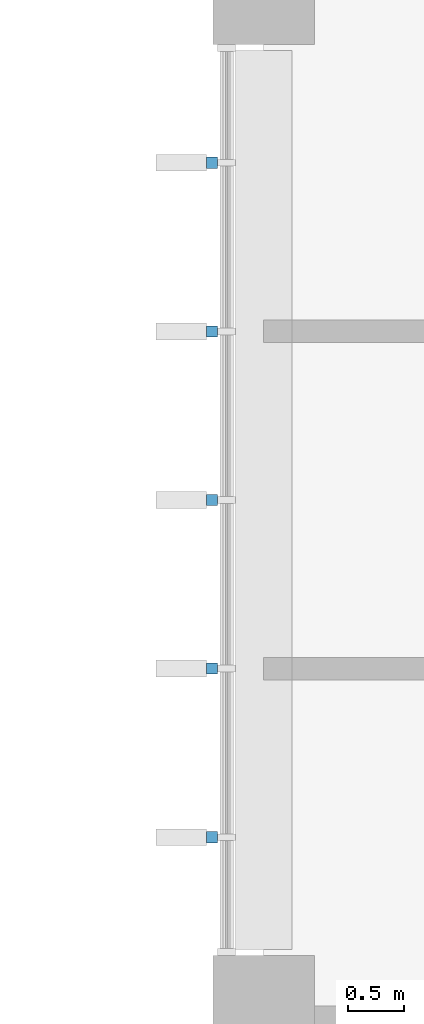
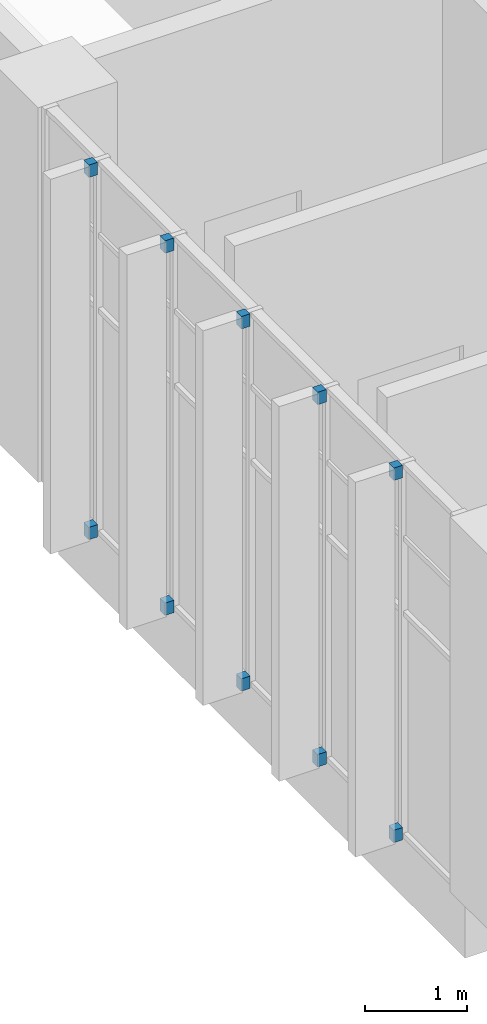
# One storey, part 83 of 106: 10 discrete accessories.
"""IFC4 building model written with IfcOpenShell, lengths in metres."""

from ifc_helpers import new_model, si_unit, direction, frame, origin, origin_2d, place, context, subcontext, project, spatial, rectangle, extrude, material, type_object, element, save


model = new_model("IFC4")

# Units and contexts
model_context = context("Model", 3, precision=1e-05, world=origin(), true_north=direction((0.0, 1.0)))
body_context = subcontext(model_context, "Body", "Model", "MODEL_VIEW")
ifc_project = project(units=[si_unit("LENGTHUNIT", "METRE"), si_unit("AREAUNIT", "SQUARE_METRE"), si_unit("VOLUMEUNIT", "CUBIC_METRE"), si_unit("PLANEANGLEUNIT", "RADIAN"), si_unit("MASSUNIT", "GRAM", prefix="KILO")], contexts=[model_context])

# Site, building, storey
site_placement = place(None, origin())
site = spatial("IfcSite", under=ifc_project, at=site_placement, CompositionType="ELEMENT")
building_placement = place(site_placement, origin())
building = spatial("IfcBuilding", under=site, at=building_placement, Name="Guidao Yard Department Store", CompositionType="ELEMENT")
storey_placement = place(building_placement, frame((0.0, 0.0, 10.5)))
storey = spatial("IfcBuildingStorey", under=building, at=storey_placement, Name="L02", CompositionType="ELEMENT", Elevation=10.5)

# Discrete accessories
ifc_material = material(Name="Steel Q355B", Category="steel")
discrete_accessory_type = type_object("IfcDiscreteAccessoryType", Name="Fin bracket BR3 steel plate", PredefinedType="BRACKET", material=ifc_material)
for number, where, z_axis, x_axis, name in (
    (1, (125.5400390625, 10.5, 0.0), (0.0, 0.0, 1.0), (0.0, 1.0, 0.0), "Fin bracket"),
    (2, (125.5400390625, 10.5, 4.35009765625), (0.0, 0.0, 1.0), (0.0, 1.0, 0.0), "Fin bracket"),
    (3, (125.5400390625, 12.0, 0.0), (0.0, 0.0, 1.0), (0.0, 1.0, 0.0), "Fin bracket"),
    (4, (125.5400390625, 12.0, 4.35009765625), (0.0, 0.0, 1.0), (0.0, 1.0, 0.0), "Fin bracket"),
    (5, (125.5400390625, 13.5, 0.0), (0.0, 0.0, 1.0), (0.0, 1.0, 0.0), "Fin bracket"),
    (6, (125.5400390625, 13.5, 4.35009765625), (0.0, 0.0, 1.0), (0.0, 1.0, 0.0), "Fin bracket"),
    (7, (125.5400390625, 15.0, 0.0), (0.0, 0.0, 1.0), (0.0, 1.0, 0.0), "Fin bracket"),
    (8, (125.5400390625, 15.0, 4.35009765625), (0.0, 0.0, 1.0), (0.0, 1.0, 0.0), "Fin bracket"),
    (9, (125.5400390625, 16.5, 0.0), (0.0, 0.0, 1.0), (0.0, 1.0, 0.0), "Fin bracket"),
    (10, (125.5400390625, 16.5, 4.35009765625), (0.0, 0.0, 1.0), (0.0, 1.0, 0.0), "Fin bracket"),
):
    element("IfcDiscreteAccessory", number, at=place(storey_placement, frame(where, z_axis=z_axis, x_axis=x_axis)), inside=storey, type_object=discrete_accessory_type, Name=name, PredefinedType="BRACKET", context=body_context, shape_type="SweptSolid", body=[
        extrude(rectangle(XDim=0.10009765625, YDim=0.10009765625, at=origin_2d()), origin(), (0.0, 0.0, 1.0), 0.14990234375),
    ])

save(model, "model.ifc")
